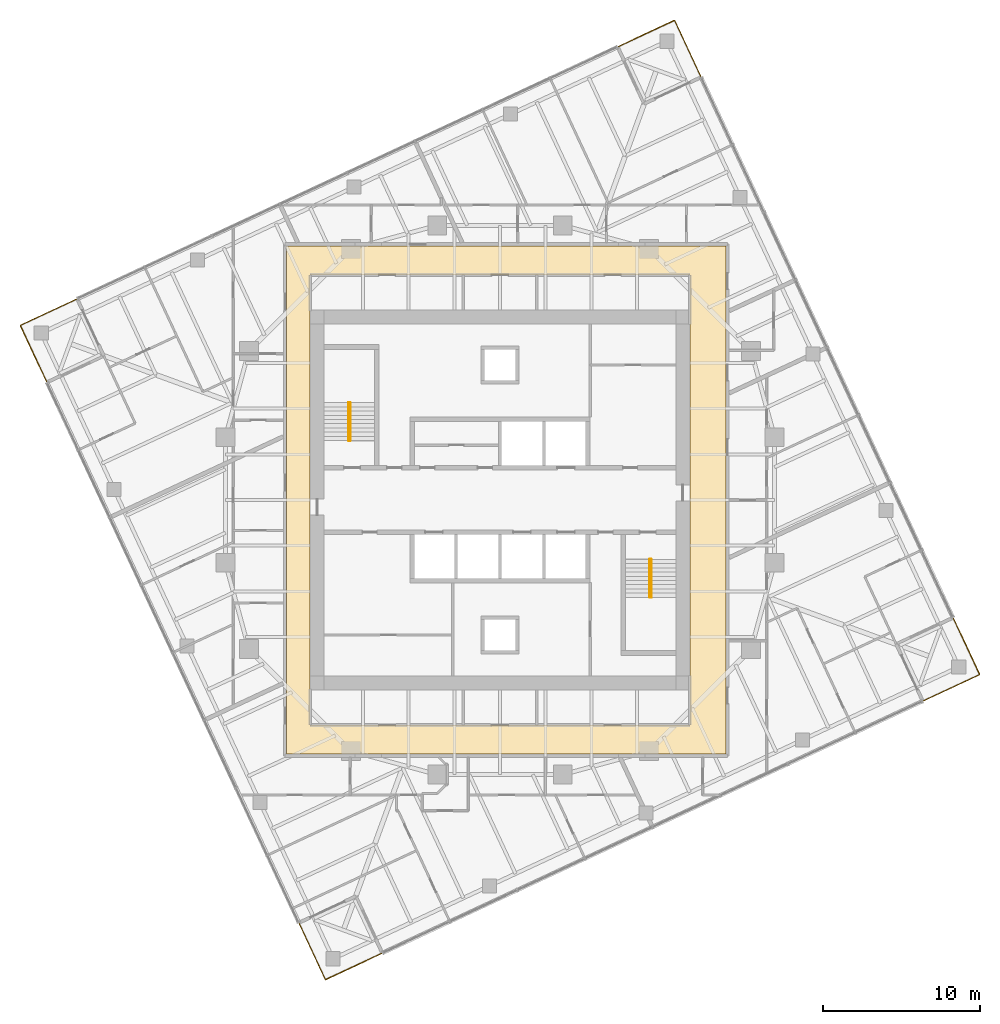
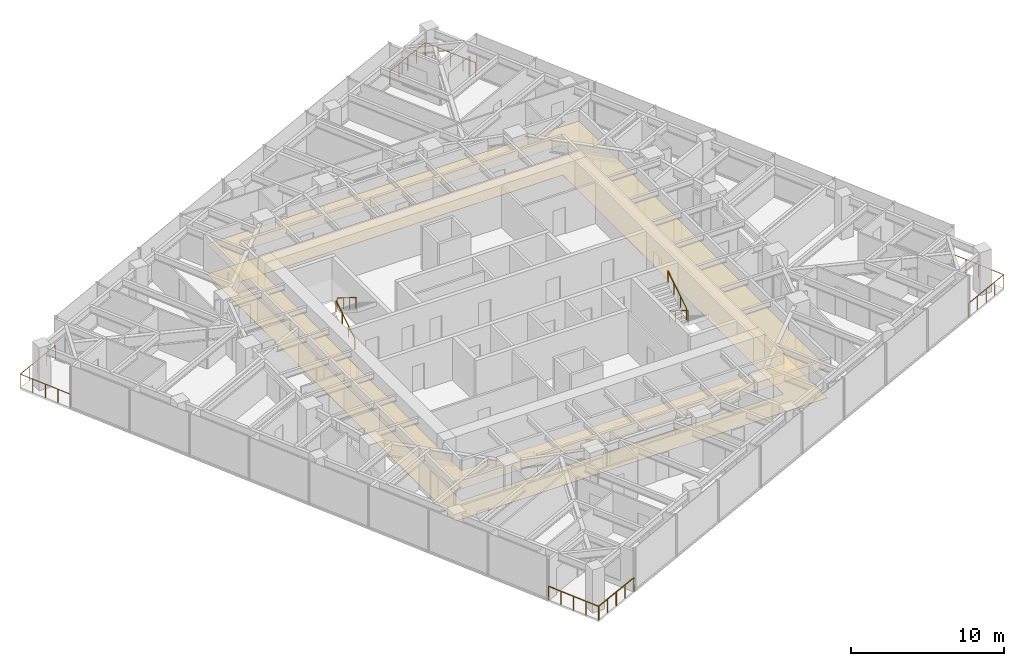
# One storey, part 13 of 13: 8 railings, 2 coverings, 2 elements without a shape of their own.
"""IFC4 building model written with IfcOpenShell, lengths in metres."""

from ifc_helpers import new_model, si_unit, direction, frame, origin, origin_2d, place, context, subcontext, project, spatial, polyline, circle, outline, extrude, material, layer, layer_set, type_object, element, aggregate, save


model = new_model("IFC4")

# Units and contexts
model_context = context("Model", 3, precision=1e-05, world=origin(), true_north=direction((0.0, 1.0)))
body_context = subcontext(model_context, "Body", "Model", "MODEL_VIEW")
ifc_project = project(units=[si_unit("LENGTHUNIT", "METRE"), si_unit("AREAUNIT", "SQUARE_METRE"), si_unit("VOLUMEUNIT", "CUBIC_METRE"), si_unit("PLANEANGLEUNIT", "RADIAN"), si_unit("MASSUNIT", "GRAM", prefix="KILO")], contexts=[model_context])

# Site, building, storey
site_placement = place(None, origin())
site = spatial("IfcSite", under=ifc_project, at=site_placement, CompositionType="ELEMENT")
building_placement = place(site_placement, origin())
building = spatial("IfcBuilding", under=site, at=building_placement, Name="Torsade Residences", CompositionType="ELEMENT")
storey_placement = place(building_placement, frame((0.0, 0.0, 179.39990234375)))
storey = spatial("IfcBuildingStorey", under=building, at=storey_placement, Name="L49", CompositionType="ELEMENT", Elevation=179.39990234375)

# Coverings
ifc_material_1 = material(Name="Nylon carpet tile on underlay", Category="textile")
ifc_layer_1 = layer(ifc_material_1, 0.010009765625)
ifc_layer_set_1 = layer_set([ifc_layer_1], Name="Nylon carpet tile on underlay")
covering_type_1 = type_object("IfcCoveringType", Name="CORRIDOR CARPET TILE 10", PredefinedType="FLOORING", material=ifc_layer_set_1)
covering_1_placement = place(storey_placement, origin())
element("IfcCovering", 1, at=covering_1_placement, inside=storey, type_object=covering_type_1, Name="Corridor carpet L49", PredefinedType="FLOORING", context=body_context, shape_type="SweptSolid", body=[
    extrude(outline(polyline([(26.39990234375, 46.199951171875), (26.39990234375, 13.800048828125), (54.39990234375, 13.800048828125), (54.39990234375, 46.199951171875), (26.39990234375, 46.199951171875)]), holes=[polyline([(52.10009765625, 44.35009765625), (27.89990234375, 44.35009765625), (27.89990234375, 15.64990234375), (52.10009765625, 15.64990234375), (52.10009765625, 44.35009765625)])]), origin(), (0.0, 0.0, 1.0), 0.010009765625),
])
ifc_material_2 = material(Name="Plasterboard on suspended steel grid", Category="steel")
ifc_layer_2 = layer(ifc_material_2, 0.012939453125)
ifc_layer_set_2 = layer_set([ifc_layer_2], Name="Plasterboard on suspended steel grid")
covering_type_2 = type_object("IfcCoveringType", Name="CORRIDOR SUSPENDED CEILING 13", PredefinedType="CEILING", material=ifc_layer_set_2)
covering_2_placement = place(storey_placement, frame((0.0, 0.0, 2.400146484375)))
element("IfcCovering", 2, at=covering_2_placement, inside=storey, type_object=covering_type_2, Name="Corridor ceiling L49", PredefinedType="CEILING", context=body_context, shape_type="SweptSolid", body=[
    extrude(outline(polyline([(26.39990234375, 46.199951171875), (26.39990234375, 13.800048828125), (54.39990234375, 13.800048828125), (54.39990234375, 46.199951171875), (26.39990234375, 46.199951171875)]), holes=[polyline([(52.10009765625, 44.35009765625), (27.89990234375, 44.35009765625), (27.89990234375, 15.64990234375), (52.10009765625, 15.64990234375), (52.10009765625, 44.35009765625)])]), origin(), (0.0, 0.0, 1.0), 0.012939453125),
])

# Stair, railings
ifc_material_3 = material(Name="Precast concrete 40 MPa", Category="concrete")
stair_type = type_object("IfcStairType", Name="HALF-TURN FIRE STAIR 1500x3400", PredefinedType="HALF_TURN_STAIR", material=ifc_material_3)
stair_1_placement = place(storey_placement, origin())
stair_1 = element("IfcStair", 3, at=stair_1_placement, inside=storey, type_object=stair_type, Name="Stair ST1 L49", PredefinedType="HALF_TURN_STAIR")
ifc_material_4 = material(Name="Steel handrail", Category="steel")
railing_type_1 = type_object("IfcRailingType", Name="STAIR HANDRAIL 900", PredefinedType="HANDRAIL", material=ifc_material_4)
railing_1_placement = place(storey_placement, frame((30.35009765625, 33.780029296875, 0.170166015625)))
railing_1 = element("IfcRailing", 4, at=railing_1_placement, type_object=railing_type_1, Name="Handrail ST1 flight 1 L49", PredefinedType="HANDRAIL", context=body_context, shape_type="SweptSolid", body=[
    extrude(circle(Radius=0.02392578125, at=origin_2d()), frame((0.0, 0.0, 0.8759765625), z_axis=(0.0, 0.846221481393, 0.532831309544), x_axis=(-1.0, 0.0, 0.0)), (0.0, 0.0, 1.0), 2.87158203125),
    extrude(circle(Radius=0.02099609375, at=origin_2d()), origin(), (0.0, 0.0, 1.0), 0.851806640625),
    extrude(circle(Radius=0.02099609375, at=origin_2d()), frame((0.0, 0.81005859375, 0.510009765625)), (0.0, 0.0, 1.0), 0.851806640625),
    extrude(circle(Radius=0.02099609375, at=origin_2d()), frame((0.0, 1.619873046875, 1.02001953125)), (0.0, 0.0, 1.0), 0.851806640625),
    extrude(circle(Radius=0.02099609375, at=origin_2d()), frame((0.0, 2.429931640625, 1.530029296875)), (0.0, 0.0, 1.0), 0.851806640625),
])
railing_2_placement = place(storey_placement, frame((30.449951171875, 36.2099609375, 1.8701171875)))
railing_2 = element("IfcRailing", 5, at=railing_2_placement, type_object=railing_type_1, Name="Handrail ST1 flight 2 L49", PredefinedType="HANDRAIL", context=body_context, shape_type="SweptSolid", body=[
    extrude(circle(Radius=0.02392578125, at=origin_2d()), frame((0.0, 0.0, 0.8759765625), z_axis=(0.0, -0.846221481393, 0.532831309544), x_axis=(1.0, 0.0, 0.0)), (0.0, 0.0, 1.0), 2.87158203125),
    extrude(circle(Radius=0.02099609375, at=origin_2d()), origin(), (0.0, 0.0, 1.0), 0.851806640625),
    extrude(circle(Radius=0.02099609375, at=origin_2d()), frame((0.0, -0.81005859375, 0.510009765625)), (0.0, 0.0, 1.0), 0.851806640625),
    extrude(circle(Radius=0.02099609375, at=origin_2d()), frame((0.0, -1.619873046875, 1.02001953125)), (0.0, 0.0, 1.0), 0.851806640625),
    extrude(circle(Radius=0.02099609375, at=origin_2d()), frame((0.0, -2.429931640625, 1.530029296875)), (0.0, 0.0, 1.0), 0.851806640625),
])
aggregate(stair_1, [railing_1, railing_2])

stair_2_placement = place(storey_placement, origin())
stair_2 = element("IfcStair", 6, at=stair_2_placement, inside=storey, type_object=stair_type, Name="Stair ST2 L49", PredefinedType="HALF_TURN_STAIR")
railing_3_placement = place(storey_placement, frame((49.64990234375, 26.219970703125, 0.170166015625)))
railing_3 = element("IfcRailing", 7, at=railing_3_placement, type_object=railing_type_1, Name="Handrail ST2 flight 1 L49", PredefinedType="HANDRAIL", context=body_context, shape_type="SweptSolid", body=[
    extrude(circle(Radius=0.02392578125, at=origin_2d()), frame((0.0, 0.0, 0.8759765625), z_axis=(0.0, -0.846221481393, 0.532831309544), x_axis=(1.0, 0.0, 0.0)), (0.0, 0.0, 1.0), 2.87158203125),
    extrude(circle(Radius=0.02099609375, at=origin_2d()), origin(), (0.0, 0.0, 1.0), 0.851806640625),
    extrude(circle(Radius=0.02099609375, at=origin_2d()), frame((0.0, -0.81005859375, 0.510009765625)), (0.0, 0.0, 1.0), 0.851806640625),
    extrude(circle(Radius=0.02099609375, at=origin_2d()), frame((0.0, -1.619873046875, 1.02001953125)), (0.0, 0.0, 1.0), 0.851806640625),
    extrude(circle(Radius=0.02099609375, at=origin_2d()), frame((0.0, -2.429931640625, 1.530029296875)), (0.0, 0.0, 1.0), 0.851806640625),
])
railing_4_placement = place(storey_placement, frame((49.550048828125, 23.7900390625, 1.8701171875)))
railing_4 = element("IfcRailing", 8, at=railing_4_placement, type_object=railing_type_1, Name="Handrail ST2 flight 2 L49", PredefinedType="HANDRAIL", context=body_context, shape_type="SweptSolid", body=[
    extrude(circle(Radius=0.02392578125, at=origin_2d()), frame((0.0, 0.0, 0.8759765625), z_axis=(0.0, 0.846221481393, 0.532831309544), x_axis=(-1.0, 0.0, 0.0)), (0.0, 0.0, 1.0), 2.87158203125),
    extrude(circle(Radius=0.02099609375, at=origin_2d()), origin(), (0.0, 0.0, 1.0), 0.851806640625),
    extrude(circle(Radius=0.02099609375, at=origin_2d()), frame((0.0, 0.81005859375, 0.510009765625)), (0.0, 0.0, 1.0), 0.851806640625),
    extrude(circle(Radius=0.02099609375, at=origin_2d()), frame((0.0, 1.619873046875, 1.02001953125)), (0.0, 0.0, 1.0), 0.851806640625),
    extrude(circle(Radius=0.02099609375, at=origin_2d()), frame((0.0, 2.429931640625, 1.530029296875)), (0.0, 0.0, 1.0), 0.851806640625),
])
aggregate(stair_2, [railing_3, railing_4])

# Railings
ifc_material_5 = material(Name="Laminated glass balustrade", Category="glass")
railing_type_2 = type_object("IfcRailingType", Name="TERRACE GLASS BALUSTRADE 1100", PredefinedType="BALUSTRADE", material=ifc_material_5)
railing_5_placement = place(storey_placement, frame((66.940185546875, 17.1845703125, 0.0)))
element("IfcRailing", 9, at=railing_5_placement, inside=storey, type_object=railing_type_2, Name="Terrace balustrade SE L49", PredefinedType="BALUSTRADE", context=body_context, shape_type="SweptSolid", body=[
    extrude(circle(Radius=0.02392578125, at=origin_2d()), frame((0.0, 0.0, 1.076171875), z_axis=(0.906278236866, 0.422681626502, 0.0), x_axis=(-0.422681626502, 0.906278236866, 0.0)), (0.0, 0.0, 1.0), 3.999755859375),
    extrude(circle(Radius=0.02392578125, at=origin_2d()), frame((3.625, 1.690673828125, 1.076171875), z_axis=(-0.422608113797, 0.906312519031, 0.0), x_axis=(-0.906312519031, -0.422608113797, 0.0)), (0.0, 0.0, 1.0), 4.0),
    extrude(circle(Radius=0.02099609375, at=origin_2d()), origin(), (0.0, 0.0, 1.0), 1.052001953125),
    extrude(circle(Radius=0.02099609375, at=origin_2d()), frame((0.90625, 0.422607421875, 0.0)), (0.0, 0.0, 1.0), 1.052001953125),
    extrude(circle(Radius=0.02099609375, at=origin_2d()), frame((1.8125, 0.84521484375, 0.0)), (0.0, 0.0, 1.0), 1.052001953125),
    extrude(circle(Radius=0.02099609375, at=origin_2d()), frame((2.71875, 1.26806640625, 0.0)), (0.0, 0.0, 1.0), 1.052001953125),
    extrude(circle(Radius=0.02099609375, at=origin_2d()), frame((3.625, 1.690673828125, 0.0)), (0.0, 0.0, 1.0), 1.052001953125),
    extrude(circle(Radius=0.02099609375, at=origin_2d()), frame((3.202392578125, 2.596923828125, 0.0)), (0.0, 0.0, 1.0), 1.052001953125),
    extrude(circle(Radius=0.02099609375, at=origin_2d()), frame((2.77978515625, 3.50341796875, 0.0)), (0.0, 0.0, 1.0), 1.052001953125),
    extrude(circle(Radius=0.02099609375, at=origin_2d()), frame((2.357177734375, 4.40966796875, 0.0)), (0.0, 0.0, 1.0), 1.052001953125),
    extrude(circle(Radius=0.02099609375, at=origin_2d()), frame((1.9345703125, 5.31591796875, 0.0)), (0.0, 0.0, 1.0), 1.052001953125),
])
railing_6_placement = place(storey_placement, frame((52.8154296875, 56.940185546875, 0.0)))
element("IfcRailing", 10, at=railing_6_placement, inside=storey, type_object=railing_type_2, Name="Terrace balustrade NE L49", PredefinedType="BALUSTRADE", context=body_context, shape_type="SweptSolid", body=[
    extrude(circle(Radius=0.02392578125, at=origin_2d()), frame((0.0, 0.0, 1.076171875), z_axis=(-0.422681626502, 0.906278236866, 0.0), x_axis=(-0.906278236866, -0.422681626502, 0.0)), (0.0, 0.0, 1.0), 3.999755859375),
    extrude(circle(Radius=0.02392578125, at=origin_2d()), frame((-1.690673828125, 3.625, 1.076171875), z_axis=(-0.906312519031, -0.422608113797, 0.0), x_axis=(0.422608113797, -0.906312519031, 0.0)), (0.0, 0.0, 1.0), 4.0),
    extrude(circle(Radius=0.02099609375, at=origin_2d()), origin(), (0.0, 0.0, 1.0), 1.052001953125),
    extrude(circle(Radius=0.02099609375, at=origin_2d()), frame((-0.422607421875, 0.90625, 0.0)), (0.0, 0.0, 1.0), 1.052001953125),
    extrude(circle(Radius=0.02099609375, at=origin_2d()), frame((-0.84521484375, 1.8125, 0.0)), (0.0, 0.0, 1.0), 1.052001953125),
    extrude(circle(Radius=0.02099609375, at=origin_2d()), frame((-1.26806640625, 2.71875, 0.0)), (0.0, 0.0, 1.0), 1.052001953125),
    extrude(circle(Radius=0.02099609375, at=origin_2d()), frame((-1.690673828125, 3.625, 0.0)), (0.0, 0.0, 1.0), 1.052001953125),
    extrude(circle(Radius=0.02099609375, at=origin_2d()), frame((-2.596923828125, 3.202392578125, 0.0)), (0.0, 0.0, 1.0), 1.052001953125),
    extrude(circle(Radius=0.02099609375, at=origin_2d()), frame((-3.50341796875, 2.77978515625, 0.0)), (0.0, 0.0, 1.0), 1.052001953125),
    extrude(circle(Radius=0.02099609375, at=origin_2d()), frame((-4.40966796875, 2.357177734375, 0.0)), (0.0, 0.0, 1.0), 1.052001953125),
    extrude(circle(Radius=0.02099609375, at=origin_2d()), frame((-5.31591796875, 1.9345703125, 0.0)), (0.0, 0.0, 1.0), 1.052001953125),
])
railing_7_placement = place(storey_placement, frame((13.059814453125, 42.8154296875, 0.0)))
element("IfcRailing", 11, at=railing_7_placement, inside=storey, type_object=railing_type_2, Name="Terrace balustrade NW L49", PredefinedType="BALUSTRADE", context=body_context, shape_type="SweptSolid", body=[
    extrude(circle(Radius=0.02392578125, at=origin_2d()), frame((0.0, 0.0, 1.076171875), z_axis=(-0.906278236866, -0.422681626502, 0.0), x_axis=(0.422681626502, -0.906278236866, 0.0)), (0.0, 0.0, 1.0), 3.999755859375),
    extrude(circle(Radius=0.02392578125, at=origin_2d()), frame((-3.625, -1.690673828125, 1.076171875), z_axis=(0.422608113797, -0.906312519031, 0.0), x_axis=(0.906312519031, 0.422608113797, 0.0)), (0.0, 0.0, 1.0), 4.0),
    extrude(circle(Radius=0.02099609375, at=origin_2d()), origin(), (0.0, 0.0, 1.0), 1.052001953125),
    extrude(circle(Radius=0.02099609375, at=origin_2d()), frame((-0.90625, -0.422607421875, 0.0)), (0.0, 0.0, 1.0), 1.052001953125),
    extrude(circle(Radius=0.02099609375, at=origin_2d()), frame((-1.8125, -0.84521484375, 0.0)), (0.0, 0.0, 1.0), 1.052001953125),
    extrude(circle(Radius=0.02099609375, at=origin_2d()), frame((-2.71875, -1.26806640625, 0.0)), (0.0, 0.0, 1.0), 1.052001953125),
    extrude(circle(Radius=0.02099609375, at=origin_2d()), frame((-3.625, -1.690673828125, 0.0)), (0.0, 0.0, 1.0), 1.052001953125),
    extrude(circle(Radius=0.02099609375, at=origin_2d()), frame((-3.202392578125, -2.596923828125, 0.0)), (0.0, 0.0, 1.0), 1.052001953125),
    extrude(circle(Radius=0.02099609375, at=origin_2d()), frame((-2.77978515625, -3.50341796875, 0.0)), (0.0, 0.0, 1.0), 1.052001953125),
    extrude(circle(Radius=0.02099609375, at=origin_2d()), frame((-2.357177734375, -4.40966796875, 0.0)), (0.0, 0.0, 1.0), 1.052001953125),
    extrude(circle(Radius=0.02099609375, at=origin_2d()), frame((-1.9345703125, -5.31591796875, 0.0)), (0.0, 0.0, 1.0), 1.052001953125),
])
railing_8_placement = place(storey_placement, frame((27.1845703125, 3.059814453125, 0.0)))
element("IfcRailing", 12, at=railing_8_placement, inside=storey, type_object=railing_type_2, Name="Terrace balustrade SW L49", PredefinedType="BALUSTRADE", context=body_context, shape_type="SweptSolid", body=[
    extrude(circle(Radius=0.02392578125, at=origin_2d()), frame((0.0, 0.0, 1.076171875), z_axis=(0.422681626502, -0.906278236866, 0.0), x_axis=(0.906278236866, 0.422681626502, 0.0)), (0.0, 0.0, 1.0), 3.999755859375),
    extrude(circle(Radius=0.02392578125, at=origin_2d()), frame((1.690673828125, -3.625, 1.076171875), z_axis=(0.906312519031, 0.422608113797, 0.0), x_axis=(-0.422608113797, 0.906312519031, 0.0)), (0.0, 0.0, 1.0), 4.0),
    extrude(circle(Radius=0.02099609375, at=origin_2d()), origin(), (0.0, 0.0, 1.0), 1.052001953125),
    extrude(circle(Radius=0.02099609375, at=origin_2d()), frame((0.422607421875, -0.90625, 0.0)), (0.0, 0.0, 1.0), 1.052001953125),
    extrude(circle(Radius=0.02099609375, at=origin_2d()), frame((0.84521484375, -1.8125, 0.0)), (0.0, 0.0, 1.0), 1.052001953125),
    extrude(circle(Radius=0.02099609375, at=origin_2d()), frame((1.26806640625, -2.71875, 0.0)), (0.0, 0.0, 1.0), 1.052001953125),
    extrude(circle(Radius=0.02099609375, at=origin_2d()), frame((1.690673828125, -3.625, 0.0)), (0.0, 0.0, 1.0), 1.052001953125),
    extrude(circle(Radius=0.02099609375, at=origin_2d()), frame((2.596923828125, -3.202392578125, 0.0)), (0.0, 0.0, 1.0), 1.052001953125),
    extrude(circle(Radius=0.02099609375, at=origin_2d()), frame((3.50341796875, -2.77978515625, 0.0)), (0.0, 0.0, 1.0), 1.052001953125),
    extrude(circle(Radius=0.02099609375, at=origin_2d()), frame((4.40966796875, -2.357177734375, 0.0)), (0.0, 0.0, 1.0), 1.052001953125),
    extrude(circle(Radius=0.02099609375, at=origin_2d()), frame((5.31591796875, -1.9345703125, 0.0)), (0.0, 0.0, 1.0), 1.052001953125),
])

save(model, "model.ifc")
